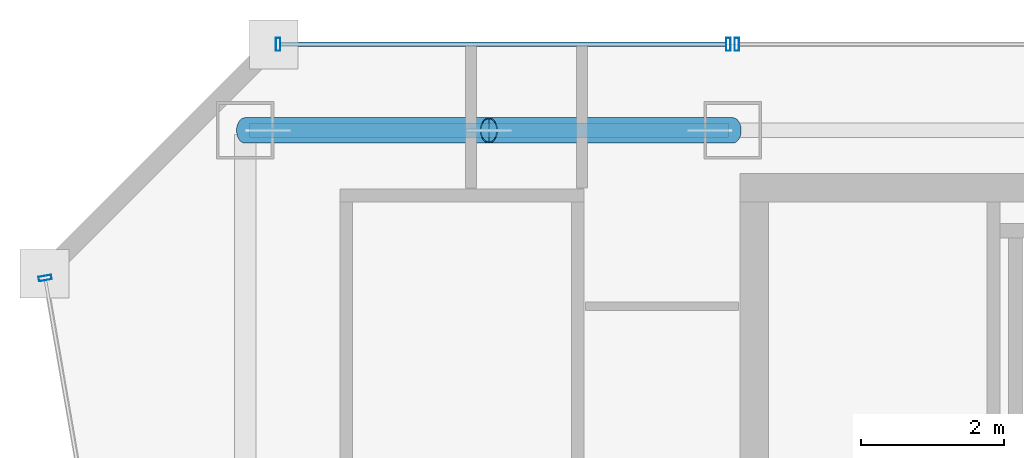
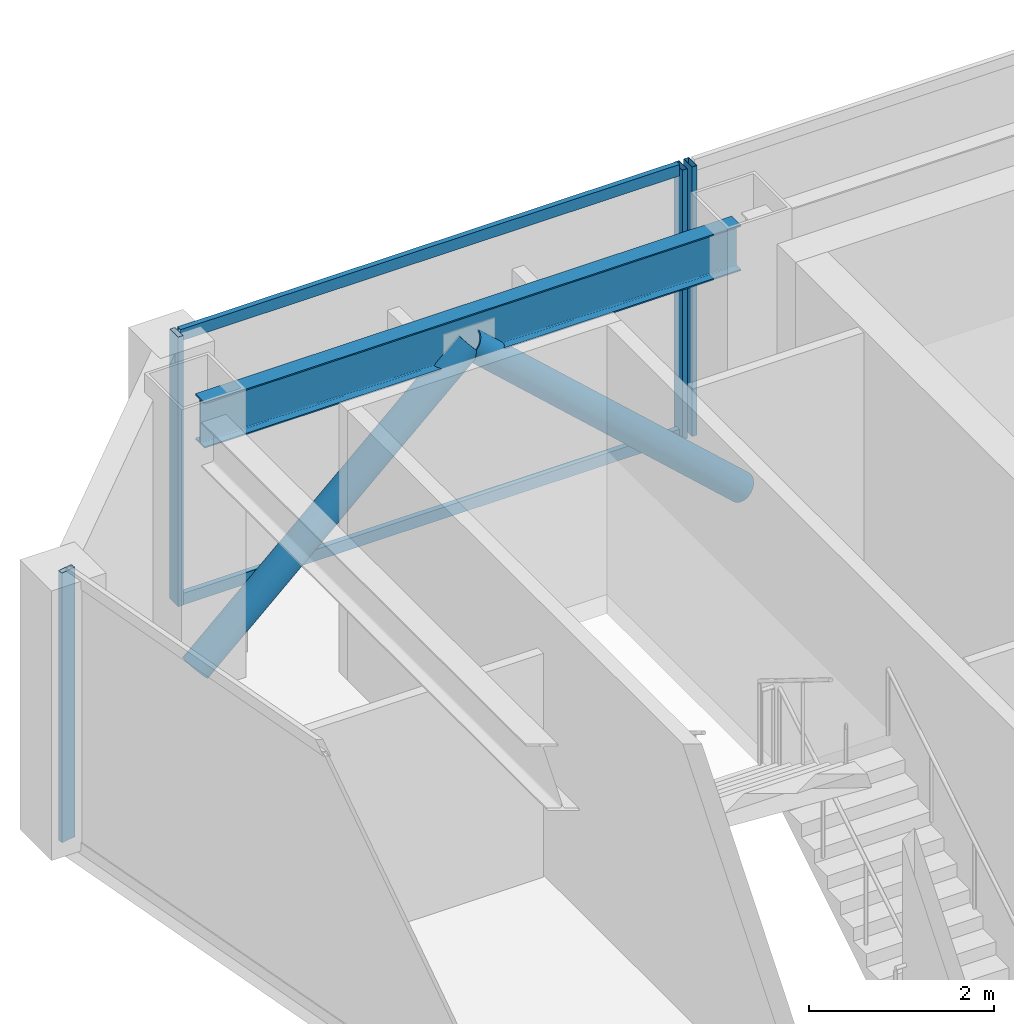
# One storey, part 19 of 33: 8 members, 1 beam, 3 elements without a shape of their own.
"""IFC4 building model written with IfcOpenShell, lengths in metres."""

from ifc_helpers import new_model, si_unit, direction, frame, origin, origin_2d, place, context, subcontext, project, spatial, hollow_rectangle, hollow_circle, i_section, extrude, material, material_profile, profile_set, type_object, element, aggregate, save


model = new_model("IFC4")

# Units and contexts
model_context = context("Model", 3, precision=1e-05, world=origin(), true_north=direction((0.0, 1.0)))
body_context = subcontext(model_context, "Body", "Model", "MODEL_VIEW")
ifc_project = project(units=[si_unit("LENGTHUNIT", "METRE"), si_unit("AREAUNIT", "SQUARE_METRE"), si_unit("VOLUMEUNIT", "CUBIC_METRE"), si_unit("PLANEANGLEUNIT", "RADIAN"), si_unit("MASSUNIT", "GRAM", prefix="KILO")], contexts=[model_context])

# Site, building, storey
site_placement = place(None, origin())
site = spatial("IfcSite", under=ifc_project, at=site_placement, CompositionType="ELEMENT")
building_placement = place(site_placement, origin())
building = spatial("IfcBuilding", under=site, at=building_placement, Name="Saevonmaru Cultural Tower", CompositionType="ELEMENT")
storey_placement = place(building_placement, frame((0.0, 0.0, 238.199951171875)))
storey = spatial("IfcBuildingStorey", under=building, at=storey_placement, Name="L55", CompositionType="ELEMENT", Elevation=238.199951171875)

# Beam
ifc_material_1 = material(Name="Steel SM355", Category="steel")
ifc_material_profile_1 = material_profile(ifc_material_1, i_section(OverallWidth=0.199951171875, OverallDepth=0.60009765625, WebThickness=0.010986328125, FlangeThickness=0.01708984375, FilletRadius=0.02197265625, at=origin_2d()), Name="H-600x200x11x17")
ifc_profile_set_1 = profile_set([ifc_material_profile_1], Name="Steel SM355")
beam_type = type_object("IfcBeamType", Name="BM-SP-H600", PredefinedType="SPANDREL", material=ifc_profile_set_1)
beam_placement = place(storey_placement, frame((6.860107421875, 54.800048828125, 3.25), z_axis=(1.0, 0.0, 0.0), x_axis=(0.0, 1.0, 0.0)))
element("IfcBeam", 1, at=beam_placement, inside=storey, type_object=beam_type, Name="L55 North Spine Girder 1", PredefinedType="SPANDREL", context=body_context, shape_type="SweptSolid", body=[
    extrude(i_section(OverallWidth=0.199951171875, OverallDepth=0.60009765625, WebThickness=0.010986328125, FlangeThickness=0.01708984375, FilletRadius=0.02197265625, at=origin_2d()), origin(), (0.0, 0.0, 1.0), 6.679931640625),
])

# Members
ifc_material_profile_2 = material_profile(ifc_material_1, hollow_circle(Radius=0.177734375, WallThickness=0.01611328125, at=origin_2d()), Name="CHS-355.6x16")
ifc_profile_set_2 = profile_set([ifc_material_profile_2], Name="Steel SM355")
member_type_1 = type_object("IfcMemberType", Name="MB-PBR-CHS356", PredefinedType="BRACE", material=ifc_profile_set_2)
member_1_placement = place(storey_placement, frame((6.800048828125, 54.800048828125, 0.02001953125), z_axis=(0.738935641579, 0.0, 0.673776014417), x_axis=(0.0, 1.0, 0.0)))
element("IfcMember", 2, at=member_1_placement, inside=storey, type_object=member_type_1, Name="L55 Perimeter Braced-Tube Diagonal WN1", PredefinedType="BRACE", context=body_context, shape_type="SweptSolid", body=[
    extrude(hollow_circle(Radius=0.177734375, WallThickness=0.01611328125, at=origin_2d()), origin(), (0.0, 0.0, 1.0), 4.60107421875),
])
member_2_placement = place(storey_placement, frame((13.60009765625, 54.800048828125, 0.02001953125), z_axis=(-0.738959728749, 0.0, 0.673749596873), x_axis=(0.0, -1.0, 0.0)))
element("IfcMember", 3, at=member_2_placement, inside=storey, type_object=member_type_1, Name="L55 Perimeter Braced-Tube Diagonal WN2", PredefinedType="BRACE", context=body_context, shape_type="SweptSolid", body=[
    extrude(hollow_circle(Radius=0.177734375, WallThickness=0.01611328125, at=origin_2d()), origin(), (0.0, 0.0, 1.0), 4.601318359375),
])

# Curtain wall, member
ifc_material_2 = material(Name="Satin Bronze Anodised Aluminium", Category="aluminium")
curtain_wall_type = type_object("IfcCurtainWallType", Name="CW-TYP-B", PredefinedType="NOTDEFINED", material=ifc_material_2)
curtain_wall_1_placement = place(storey_placement, origin())
curtain_wall_1 = element("IfcCurtainWall", 4, at=curtain_wall_1_placement, inside=storey, type_object=curtain_wall_type, Name="L55 North Spine Unitised Curtain Wall E10B", PredefinedType="NOTDEFINED")
ifc_material_profile_3 = material_profile(ifc_material_2, hollow_rectangle(XDim=0.06494140625, YDim=0.179931640625, WallThickness=0.00390625, at=origin_2d()), Name="ALU-MULL-180x65x4")
ifc_profile_set_3 = profile_set([ifc_material_profile_3], Name="Satin Bronze Anodised Aluminium")
member_type_2 = type_object("IfcMemberType", Name="ML-CW-180x65", PredefinedType="MULLION", material=ifc_profile_set_3)
member_3_placement = place(storey_placement, frame((13.659912109375, 56.0, 0.0), z_axis=(0.0, 0.0, 1.0), x_axis=(-1.0, 0.0, 0.0)))
member_3 = element("IfcMember", 5, at=member_3_placement, type_object=member_type_2, Name="CW-TW-L55-E10B mullion 4", PredefinedType="MULLION", context=body_context, shape_type="SweptSolid", body=[
    extrude(hollow_rectangle(XDim=0.06494140625, YDim=0.179931640625, WallThickness=0.00390625, at=origin_2d()), origin(), (0.0, 0.0, 1.0), 3.550048828125),
])
aggregate(curtain_wall_1, [member_3])

# Curtain wall, members
curtain_wall_2_placement = place(storey_placement, origin())
curtain_wall_2 = element("IfcCurtainWall", 6, at=curtain_wall_2_placement, inside=storey, type_object=curtain_wall_type, Name="L55 West Braced Bay Spandrel Curtain Wall E10C", PredefinedType="NOTDEFINED")
member_4_placement = place(storey_placement, frame((13.5400390625, 56.0, 0.0), z_axis=(0.0, 0.0, 1.0), x_axis=(-1.0, 0.0, 0.0)))
member_4 = element("IfcMember", 7, at=member_4_placement, type_object=member_type_2, Name="CW-TW-L55-E10C mullion 1", PredefinedType="MULLION", context=body_context, shape_type="SweptSolid", body=[
    extrude(hollow_rectangle(XDim=0.06494140625, YDim=0.179931640625, WallThickness=0.00390625, at=origin_2d()), origin(), (0.0, 0.0, 1.0), 3.550048828125),
])
member_5_placement = place(storey_placement, frame((7.260009765625, 56.0, 0.0), z_axis=(0.0, 0.0, 1.0), x_axis=(-1.0, 0.0, 0.0)))
member_5 = element("IfcMember", 8, at=member_5_placement, type_object=member_type_2, Name="CW-TW-L55-E10C mullion 2", PredefinedType="MULLION", context=body_context, shape_type="SweptSolid", body=[
    extrude(hollow_rectangle(XDim=0.06494140625, YDim=0.179931640625, WallThickness=0.00390625, at=origin_2d()), origin(), (0.0, 0.0, 1.0), 3.550048828125),
])

# Curtain wall, member
curtain_wall_3_placement = place(storey_placement, origin())
curtain_wall_3 = element("IfcCurtainWall", 9, at=curtain_wall_3_placement, inside=storey, type_object=curtain_wall_type, Name="L55 Unitised Curtain Wall E12", PredefinedType="NOTDEFINED")
member_6_placement = place(storey_placement, frame((4.01025390625, 52.740966796875, 0.0), z_axis=(0.0, 0.0, 1.0), x_axis=(0.170790369887, -0.985307388359, 0.0)))
member_6 = element("IfcMember", 10, at=member_6_placement, type_object=member_type_2, Name="CW-TW-L55-E12 mullion 1", PredefinedType="MULLION", context=body_context, shape_type="SweptSolid", body=[
    extrude(hollow_rectangle(XDim=0.06494140625, YDim=0.179931640625, WallThickness=0.00390625, at=origin_2d()), origin(), (0.0, 0.0, 1.0), 3.550048828125),
])
aggregate(curtain_wall_3, [member_6])

# Member
ifc_material_profile_4 = material_profile(ifc_material_2, hollow_rectangle(XDim=0.06494140625, YDim=0.14990234375, WallThickness=0.00390625, at=origin_2d()), Name="ALU-TRAN-150x65x4")
ifc_profile_set_4 = profile_set([ifc_material_profile_4], Name="Satin Bronze Anodised Aluminium")
member_type_3 = type_object("IfcMemberType", Name="TR-CW-150x65", PredefinedType="USERDEFINED", material=ifc_profile_set_4)
member_7_placement = place(storey_placement, frame((13.507568359375, 56.0, 0.032470703125), z_axis=(-1.0, 0.0, 0.0), x_axis=(0.0, -1.0, 0.0)))
member_7 = element("IfcMember", 11, at=member_7_placement, type_object=member_type_3, Name="CW-TW-L55-E10C transom 1.1", ObjectType="TRANSOM", PredefinedType="USERDEFINED", context=body_context, shape_type="SweptSolid", body=[
    extrude(hollow_rectangle(XDim=0.06494140625, YDim=0.14990234375, WallThickness=0.00390625, at=origin_2d()), origin(), (0.0, 0.0, 1.0), 6.215087890625),
])

member_8_placement = place(storey_placement, frame((13.507568359375, 56.0, 3.517578125), z_axis=(-1.0, 0.0, 0.0), x_axis=(0.0, -1.0, 0.0)))
member_8 = element("IfcMember", 12, at=member_8_placement, type_object=member_type_3, Name="CW-TW-L55-E10C transom 1.2", ObjectType="TRANSOM", PredefinedType="USERDEFINED", context=body_context, shape_type="SweptSolid", body=[
    extrude(hollow_rectangle(XDim=0.06494140625, YDim=0.14990234375, WallThickness=0.00390625, at=origin_2d()), origin(), (0.0, 0.0, 1.0), 6.215087890625),
])

aggregate(curtain_wall_2, [member_4, member_5, member_7, member_8])

save(model, "model.ifc")
